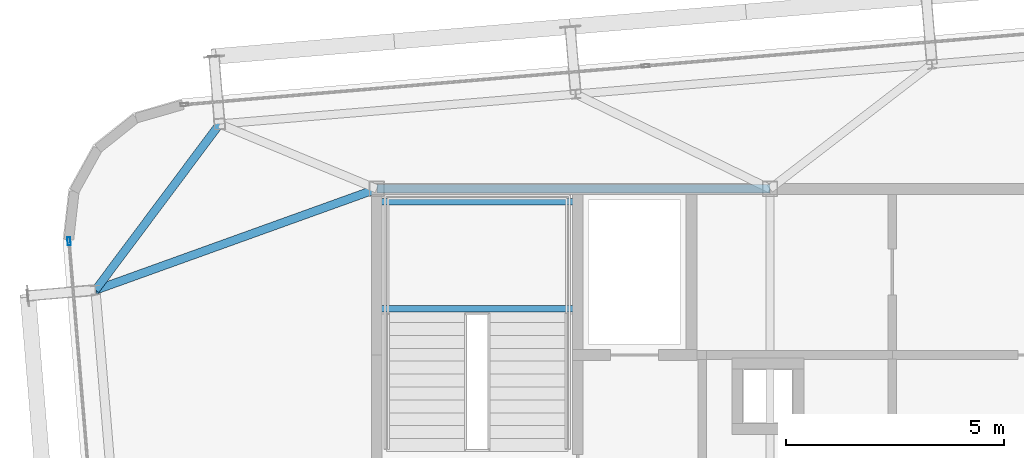
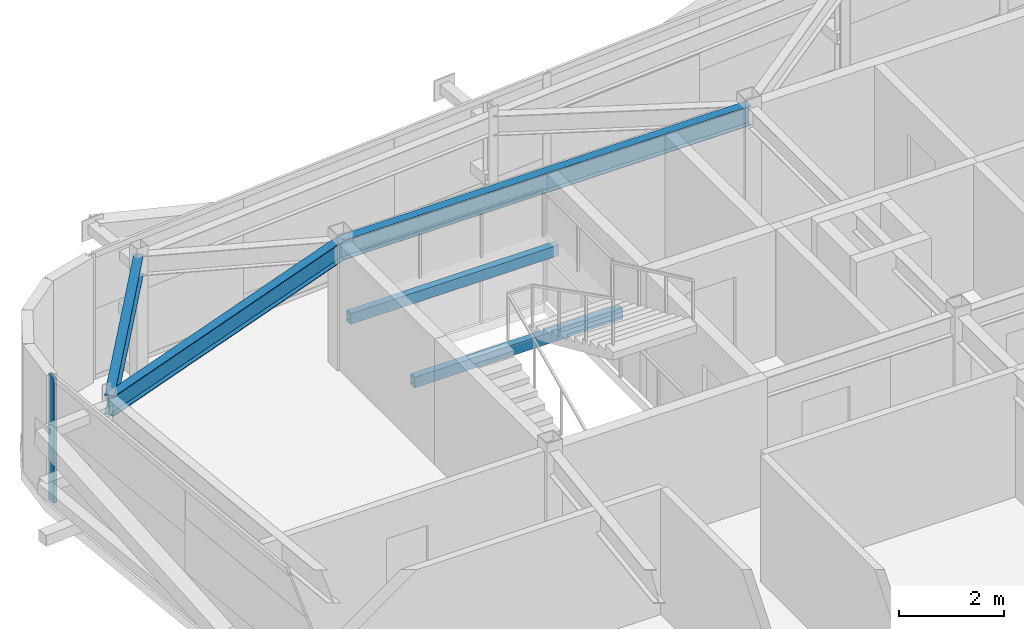
# One storey, part 14 of 37: 5 beams, 1 member, 1 element without a shape of its own.
"""IFC4 building model written with IfcOpenShell, lengths in metres."""

from ifc_helpers import new_model, si_unit, direction, frame, origin, origin_2d, place, context, subcontext, project, spatial, hollow_rectangle, i_section, extrude, source, transform, mapped, material, layer, layer_set, material_profile, profile_set, type_object, element, aggregate, save


model = new_model("IFC4")

# Units and contexts
model_context = context("Model", 3, precision=1e-05, world=origin(), true_north=direction((0.0, 1.0)))
body_context = subcontext(model_context, "Body", "Model", "MODEL_VIEW")
ifc_project = project(units=[si_unit("LENGTHUNIT", "METRE"), si_unit("AREAUNIT", "SQUARE_METRE"), si_unit("VOLUMEUNIT", "CUBIC_METRE"), si_unit("PLANEANGLEUNIT", "RADIAN"), si_unit("MASSUNIT", "GRAM", prefix="KILO")], contexts=[model_context])

# Site, building, storey
site_placement = place(None, origin())
site = spatial("IfcSite", under=ifc_project, at=site_placement, CompositionType="ELEMENT")
building_placement = place(site_placement, origin())
building = spatial("IfcBuilding", under=site, at=building_placement, Name="Taldren Reach Tower", CompositionType="ELEMENT")
storey_placement = place(building_placement, frame((0.0, 0.0, 182.0)))
storey = spatial("IfcBuildingStorey", under=building, at=storey_placement, Name="L55", CompositionType="ELEMENT", Elevation=182.0)

# Beams
ifc_material_1 = material(Name="Steel Gr 350 (350PLUS)", Category="steel")
ifc_material_profile_1 = material_profile(ifc_material_1, i_section(OverallWidth=0.19091796875, OverallDepth=0.4599609375, WebThickness=0.010009765625, FlangeThickness=0.01611328125, at=origin_2d()), Name="460UB82.1")
ifc_profile_set_1 = profile_set([ifc_material_profile_1], Name="Steel Gr 350 (350PLUS)")
beam_type_1 = type_object("IfcBeamType", Name="BM-UB460A", PredefinedType="BEAM", material=ifc_profile_set_1)
shared_shape_1 = source(origin(), body_context, "Body", "SweptSolid", [
    extrude(i_section(OverallWidth=0.19091796875, OverallDepth=0.4599609375, WebThickness=0.010009765625, FlangeThickness=0.01611328125, at=origin_2d()), origin(), (0.0, 0.0, 1.0), 9.0),
])
beam_1_placement = place(storey_placement, frame((19.0, 32.0, 2.699951171875), z_axis=(1.0, 0.0, 0.0), x_axis=(0.0, 1.0, 0.0)))
element("IfcBeam", 1, at=beam_1_placement, inside=storey, type_object=beam_type_1, Name="Core-spine girder L55-SP04", PredefinedType="BEAM", context=body_context, shape_type="MappedRepresentation", body=[
    mapped(shared_shape_1, transform((0.0, 0.0, 0.0), scale=1.0)),
])
ifc_material_profile_2 = material_profile(ifc_material_1, i_section(OverallWidth=0.18994140625, OverallDepth=0.4541015625, WebThickness=0.008544921875, FlangeThickness=0.0126953125, at=origin_2d()), Name="460UB67.1")
ifc_profile_set_2 = profile_set([ifc_material_profile_2], Name="Steel Gr 350 (350PLUS)")
beam_type_2 = type_object("IfcBeamType", Name="SP-UB460B", PredefinedType="SPANDREL", material=ifc_profile_set_2)
shared_shape_2 = source(origin(), body_context, "Body", "SweptSolid", [
    extrude(i_section(OverallWidth=0.18994140625, OverallDepth=0.4541015625, WebThickness=0.008544921875, FlangeThickness=0.0126953125, at=origin_2d()), origin(), (0.0, 0.0, 1.0), 4.74609375),
])
beam_2_placement = place(storey_placement, frame((15.40380859375, 33.483642578125, 2.702880859375), z_axis=(-0.598764719121, -0.800924972226, 0.0), x_axis=(0.800924972226, -0.598764719121, 0.0)))
element("IfcBeam", 2, at=beam_2_placement, inside=storey, type_object=beam_type_2, Name="Perimeter spandrel B4 N1-W3 L55", PredefinedType="SPANDREL", context=body_context, shape_type="MappedRepresentation", body=[
    mapped(shared_shape_2, transform((0.0, 0.0, 0.0), scale=1.0)),
])
shared_shape_3 = source(origin(), body_context, "Body", "SweptSolid", [
    extrude(i_section(OverallWidth=0.19091796875, OverallDepth=0.4599609375, WebThickness=0.010009765625, FlangeThickness=0.01611328125, at=origin_2d()), origin(), (0.0, 0.0, 1.0), 6.842529296875),
])
beam_3_placement = place(storey_placement, frame((19.0, 32.0, 2.699951171875), z_axis=(-0.940889686088, -0.33871315093, 0.0), x_axis=(0.33871315093, -0.940889686088, 0.0)))
element("IfcBeam", 3, at=beam_3_placement, inside=storey, type_object=beam_type_1, Name="Primary floor girder B4-W3 L55", PredefinedType="BEAM", context=body_context, shape_type="MappedRepresentation", body=[
    mapped(shared_shape_3, transform((0.0, 0.0, 0.0), scale=1.0)),
])

# Curtain wall, member
ifc_material_2 = material(Name="Aluminium and Low-E Glass Unitised System", Category="aluminium")
ifc_layer = layer(ifc_material_2, 0.159912109375)
ifc_layer_set = layer_set([ifc_layer], Name="Aluminium and Low-E Glass Unitised System")
curtain_wall_type = type_object("IfcCurtainWallType", Name="CW-SYS-5", PredefinedType="NOTDEFINED", material=ifc_layer_set)
curtain_wall_placement = place(storey_placement, origin())
curtain_wall = element("IfcCurtainWall", 4, at=curtain_wall_placement, inside=storey, type_object=curtain_wall_type, Name="Unitised curtain wall CW-L55-W", PredefinedType="NOTDEFINED")
ifc_material_3 = material(Name="Anodised Aluminium 6063-T6", Category="aluminium")
ifc_material_profile_3 = material_profile(ifc_material_3, hollow_rectangle(XDim=0.070068359375, YDim=0.179931640625, WallThickness=0.00390625, at=origin_2d()), Name="ALU-180x70x4RHS")
ifc_profile_set_3 = profile_set([ifc_material_profile_3], Name="Anodised Aluminium 6063-T6")
member_type = type_object("IfcMemberType", Name="CW-MUL-180", PredefinedType="MULLION", material=ifc_profile_set_3)
shared_shape_4 = source(origin(), body_context, "Body", "SweptSolid", [
    extrude(hollow_rectangle(XDim=0.070068359375, YDim=0.179931640625, WallThickness=0.00390625, at=origin_2d()), origin(), (0.0, 0.0, 1.0), 2.929931640625),
])
member_placement = place(storey_placement, frame((11.956298828125, 30.800537109375, 0.0), z_axis=(0.0, 0.0, 1.0), x_axis=(0.996492847789, 0.083677979808, 0.0)))
member = element("IfcMember", 5, at=member_placement, type_object=member_type, Name="CW-5 mullion 1", PredefinedType="MULLION", context=body_context, shape_type="MappedRepresentation", body=[
    mapped(shared_shape_4, transform((0.0, 0.0, 0.0), scale=1.0)),
])
aggregate(curtain_wall, [member])

# Beams
ifc_material_4 = material(Name="Steel Gr 350 (C350L0)", Category="steel")
ifc_material_profile_4 = material_profile(ifc_material_4, hollow_rectangle(XDim=0.14990234375, YDim=0.25, WallThickness=0.009033203125, at=origin_2d()), Name="250x150x9.0RHS")
ifc_profile_set_4 = profile_set([ifc_material_profile_4], Name="Steel Gr 350 (C350L0)")
beam_type_3 = type_object("IfcBeamType", Name="LN-RHS250", PredefinedType="LINTEL", material=ifc_profile_set_4)
shared_shape_5 = source(origin(), body_context, "Body", "SweptSolid", [
    extrude(hollow_rectangle(XDim=0.14990234375, YDim=0.25, WallThickness=0.009033203125, at=origin_2d()), origin(), (0.0, 0.0, 1.0), 4.60009765625),
])
for number, where, z_axis, x_axis, name in (
    (6, (19.0, 29.2548828125, 1.27001953125), (1.0, 0.0, 0.0), (0.0, 1.0, 0.0), "Stair half-landing support beam ST1-L55-1"),
    (7, (19.0, 31.699951171875, 1.27001953125), (1.0, 0.0, 0.0), (0.0, 1.0, 0.0), "Stair half-landing support beam ST1-L55-2"),
):
    element("IfcBeam", number, at=place(storey_placement, frame(where, z_axis=z_axis, x_axis=x_axis)), inside=storey, type_object=beam_type_3, Name=name, PredefinedType="LINTEL", context=body_context, shape_type="MappedRepresentation", body=[
        mapped(shared_shape_5, transform((0.0, 0.0, 0.0), scale=1.0)),
    ])

save(model, "model.ifc")
